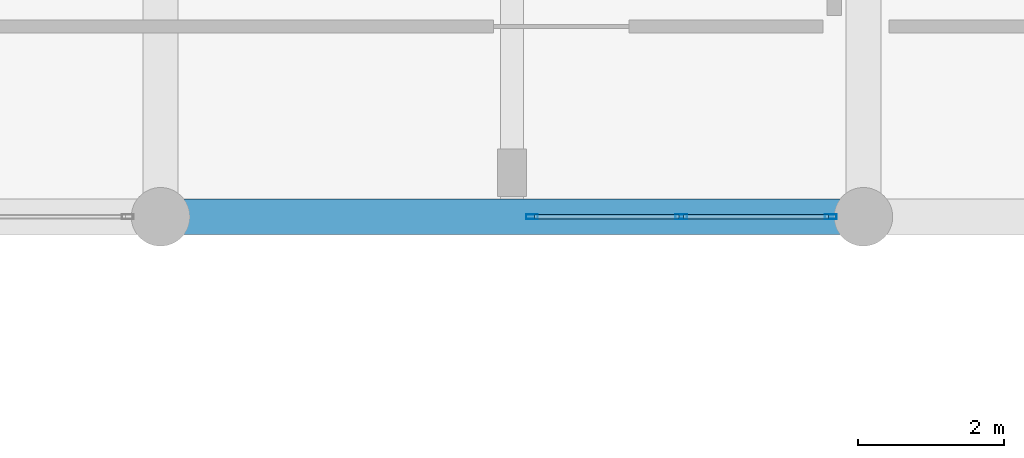
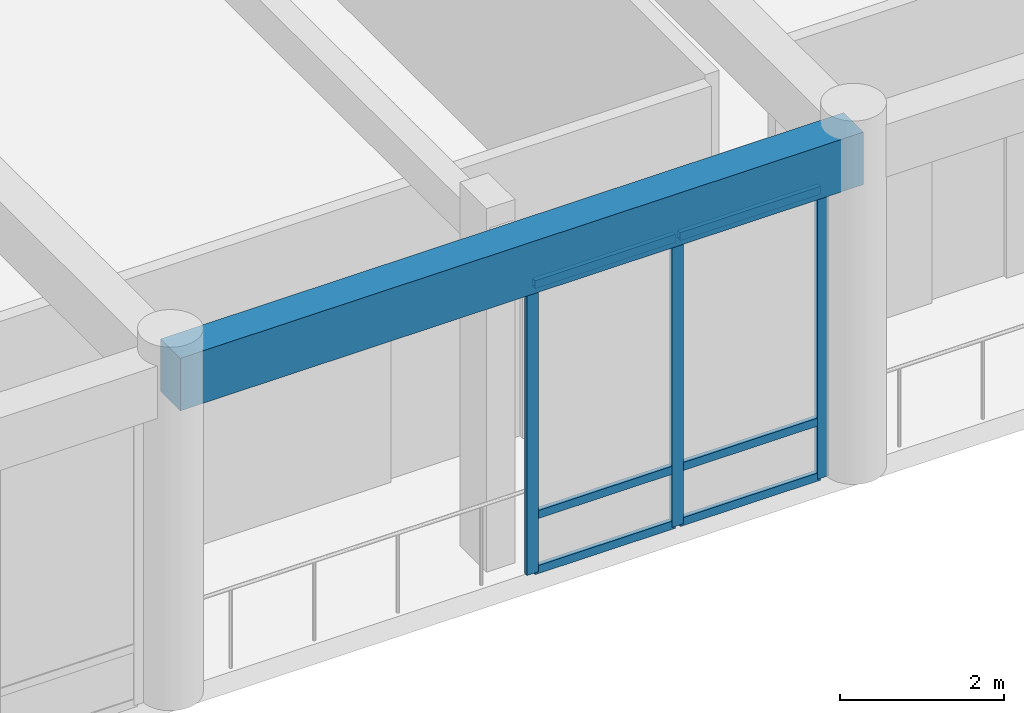
# One storey, part 40 of 134: 9 members, 1 beam, 1 element without a shape of its own.
"""IFC4 building model written with IfcOpenShell, lengths in metres."""

from ifc_helpers import new_model, si_unit, direction, frame, origin, origin_2d, place, context, subcontext, project, spatial, rectangle, hollow_rectangle, extrude, material, layer, layer_set, material_profile, profile_set, type_object, element, aggregate, save


model = new_model("IFC4")

# Units and contexts
model_context = context("Model", 3, precision=1e-05, world=origin(), true_north=direction((0.0, 1.0)))
body_context = subcontext(model_context, "Body", "Model", "MODEL_VIEW")
ifc_project = project(units=[si_unit("LENGTHUNIT", "METRE"), si_unit("AREAUNIT", "SQUARE_METRE"), si_unit("VOLUMEUNIT", "CUBIC_METRE"), si_unit("PLANEANGLEUNIT", "RADIAN"), si_unit("MASSUNIT", "GRAM", prefix="KILO")], contexts=[model_context])

# Site, building, storey
site_placement = place(None, origin())
site = spatial("IfcSite", under=ifc_project, at=site_placement, CompositionType="ELEMENT")
building_placement = place(site_placement, origin())
building = spatial("IfcBuilding", under=site, at=building_placement, Name="Nakhvara Creek Congress Hotel", CompositionType="ELEMENT")
storey_placement = place(building_placement, frame((0.0, 0.0, 6.0)))
storey = spatial("IfcBuildingStorey", under=building, at=storey_placement, Name="L01", CompositionType="ELEMENT", Elevation=6.0)

# Beam
ifc_material_1 = material(Name="Concrete C40/50", Category="concrete")
ifc_material_profile_1 = material_profile(ifc_material_1, rectangle(XDim=0.47998046875, YDim=0.780029296875, at=origin_2d()), Name="RC-BM 480x780", Category="LoadBearing")
ifc_profile_set_1 = profile_set([ifc_material_profile_1], Name="Concrete C40/50")
beam_type = type_object("IfcBeamType", Name="BM-RC-480X780", PredefinedType="BEAM", material=ifc_profile_set_1)
beam_placement = place(storey_placement, frame((86.39990234375, 76.800048828125, 4.7099609375), z_axis=(1.0, 0.0, 0.0), x_axis=(0.0, 1.0, 0.0)))
element("IfcBeam", 1, at=beam_placement, inside=storey, type_object=beam_type, Name="Beam B13-L01-1173", PredefinedType="BEAM", context=body_context, shape_type="SweptSolid", body=[
    extrude(rectangle(XDim=0.47998046875, YDim=0.780029296875, at=origin_2d()), origin(), (0.0, 0.0, 1.0), 9.60009765625),
])

# Curtain wall, members
ifc_material_2 = material(Name="Bronze-anodised aluminium AW-6063-T6 and double-silver low-E glass", Category="aluminium")
ifc_layer = layer(ifc_material_2, 0.199951171875)
ifc_layer_set = layer_set([ifc_layer], Name="Bronze-anodised aluminium AW-6063-T6 and double-silver low-E glass")
curtain_wall_type = type_object("IfcCurtainWallType", Name="CW-POD-STICK", PredefinedType="NOTDEFINED", material=ifc_layer_set)
curtain_wall_placement = place(storey_placement, origin())
curtain_wall = element("IfcCurtainWall", 2, at=curtain_wall_placement, inside=storey, type_object=curtain_wall_type, Name="Curtain Wall CW020", PredefinedType="NOTDEFINED")
ifc_material_3 = material(Name="Bronze-anodised aluminium AW-6063-T6", Category="aluminium")
ifc_material_profile_2 = material_profile(ifc_material_3, hollow_rectangle(XDim=0.06494140625, YDim=0.159912109375, WallThickness=0.00390625, at=origin_2d()), Name="ALU-MULL 65x160x4", Category="LoadBearing")
ifc_profile_set_2 = profile_set([ifc_material_profile_2], Name="Bronze-anodised aluminium AW-6063-T6")
member_type_1 = type_object("IfcMemberType", Name="CW-MULL-160", PredefinedType="MULLION", material=ifc_profile_set_2)
member_1_placement = place(storey_placement, frame((95.552490234375, 76.800048828125, 0.0), z_axis=(0.0, 0.0, 1.0), x_axis=(0.0, -1.0, 0.0)))
member_1 = element("IfcMember", 3, at=member_1_placement, type_object=member_type_1, Name="CW020 mullion 1", PredefinedType="MULLION", context=body_context, shape_type="SweptSolid", body=[
    extrude(hollow_rectangle(XDim=0.06494140625, YDim=0.159912109375, WallThickness=0.00390625, at=origin_2d()), origin(), (0.0, 0.0, 1.0), 4.31201171875),
])
member_2_placement = place(storey_placement, frame((93.512451171875, 76.800048828125, 0.0), z_axis=(0.0, 0.0, 1.0), x_axis=(0.0, -1.0, 0.0)))
member_2 = element("IfcMember", 4, at=member_2_placement, type_object=member_type_1, Name="CW020 mullion 2", PredefinedType="MULLION", context=body_context, shape_type="SweptSolid", body=[
    extrude(hollow_rectangle(XDim=0.06494140625, YDim=0.159912109375, WallThickness=0.00390625, at=origin_2d()), origin(), (0.0, 0.0, 1.0), 4.31201171875),
])
member_3_placement = place(storey_placement, frame((91.472412109375, 76.800048828125, 0.0), z_axis=(0.0, 0.0, 1.0), x_axis=(0.0, -1.0, 0.0)))
member_3 = element("IfcMember", 5, at=member_3_placement, type_object=member_type_1, Name="CW020 mullion 3", PredefinedType="MULLION", context=body_context, shape_type="SweptSolid", body=[
    extrude(hollow_rectangle(XDim=0.06494140625, YDim=0.159912109375, WallThickness=0.00390625, at=origin_2d()), origin(), (0.0, 0.0, 1.0), 4.31201171875),
])
ifc_material_profile_3 = material_profile(ifc_material_3, hollow_rectangle(XDim=0.06494140625, YDim=0.1201171875, WallThickness=0.00390625, at=origin_2d()), Name="ALU-TRAN 65x120x4", Category="LoadBearing")
ifc_profile_set_3 = profile_set([ifc_material_profile_3], Name="Bronze-anodised aluminium AW-6063-T6")
member_type_2 = type_object("IfcMemberType", Name="CW-TRAN-120", PredefinedType="USERDEFINED", material=ifc_profile_set_3)
member_4_placement = place(storey_placement, frame((95.52001953125, 76.800048828125, 0.032470703125), z_axis=(-1.0, 0.0, 0.0), x_axis=(0.0, -1.0, 0.0)))
member_4 = element("IfcMember", 6, at=member_4_placement, type_object=member_type_2, Name="CW020 transom 1.1", ObjectType="TRANSOM", PredefinedType="USERDEFINED", context=body_context, shape_type="SweptSolid", body=[
    extrude(hollow_rectangle(XDim=0.06494140625, YDim=0.1201171875, WallThickness=0.00390625, at=origin_2d()), origin(), (0.0, 0.0, 1.0), 1.97509765625),
])
member_5_placement = place(storey_placement, frame((95.52001953125, 76.800048828125, 0.85009765625), z_axis=(-1.0, 0.0, 0.0), x_axis=(0.0, -1.0, 0.0)))
member_5 = element("IfcMember", 7, at=member_5_placement, type_object=member_type_2, Name="CW020 transom 1.2", ObjectType="TRANSOM", PredefinedType="USERDEFINED", context=body_context, shape_type="SweptSolid", body=[
    extrude(hollow_rectangle(XDim=0.06494140625, YDim=0.1201171875, WallThickness=0.00390625, at=origin_2d()), origin(), (0.0, 0.0, 1.0), 1.97509765625),
])
member_6_placement = place(storey_placement, frame((95.52001953125, 76.800048828125, 4.279541015625), z_axis=(-1.0, 0.0, 0.0), x_axis=(0.0, -1.0, 0.0)))
member_6 = element("IfcMember", 8, at=member_6_placement, type_object=member_type_2, Name="CW020 transom 1.3", ObjectType="TRANSOM", PredefinedType="USERDEFINED", context=body_context, shape_type="SweptSolid", body=[
    extrude(hollow_rectangle(XDim=0.06494140625, YDim=0.1201171875, WallThickness=0.00390625, at=origin_2d()), origin(), (0.0, 0.0, 1.0), 1.97509765625),
])
member_7_placement = place(storey_placement, frame((93.47998046875, 76.800048828125, 0.032470703125), z_axis=(-1.0, 0.0, 0.0), x_axis=(0.0, -1.0, 0.0)))
member_7 = element("IfcMember", 9, at=member_7_placement, type_object=member_type_2, Name="CW020 transom 2.1", ObjectType="TRANSOM", PredefinedType="USERDEFINED", context=body_context, shape_type="SweptSolid", body=[
    extrude(hollow_rectangle(XDim=0.06494140625, YDim=0.1201171875, WallThickness=0.00390625, at=origin_2d()), origin(), (0.0, 0.0, 1.0), 1.97509765625),
])
member_8_placement = place(storey_placement, frame((93.47998046875, 76.800048828125, 0.85009765625), z_axis=(-1.0, 0.0, 0.0), x_axis=(0.0, -1.0, 0.0)))
member_8 = element("IfcMember", 10, at=member_8_placement, type_object=member_type_2, Name="CW020 transom 2.2", ObjectType="TRANSOM", PredefinedType="USERDEFINED", context=body_context, shape_type="SweptSolid", body=[
    extrude(hollow_rectangle(XDim=0.06494140625, YDim=0.1201171875, WallThickness=0.00390625, at=origin_2d()), origin(), (0.0, 0.0, 1.0), 1.97509765625),
])
member_9_placement = place(storey_placement, frame((93.47998046875, 76.800048828125, 4.279541015625), z_axis=(-1.0, 0.0, 0.0), x_axis=(0.0, -1.0, 0.0)))
member_9 = element("IfcMember", 11, at=member_9_placement, type_object=member_type_2, Name="CW020 transom 2.3", ObjectType="TRANSOM", PredefinedType="USERDEFINED", context=body_context, shape_type="SweptSolid", body=[
    extrude(hollow_rectangle(XDim=0.06494140625, YDim=0.1201171875, WallThickness=0.00390625, at=origin_2d()), origin(), (0.0, 0.0, 1.0), 1.97509765625),
])
aggregate(curtain_wall, [member_1, member_2, member_3, member_4, member_5, member_6, member_7, member_8, member_9])

save(model, "model.ifc")
